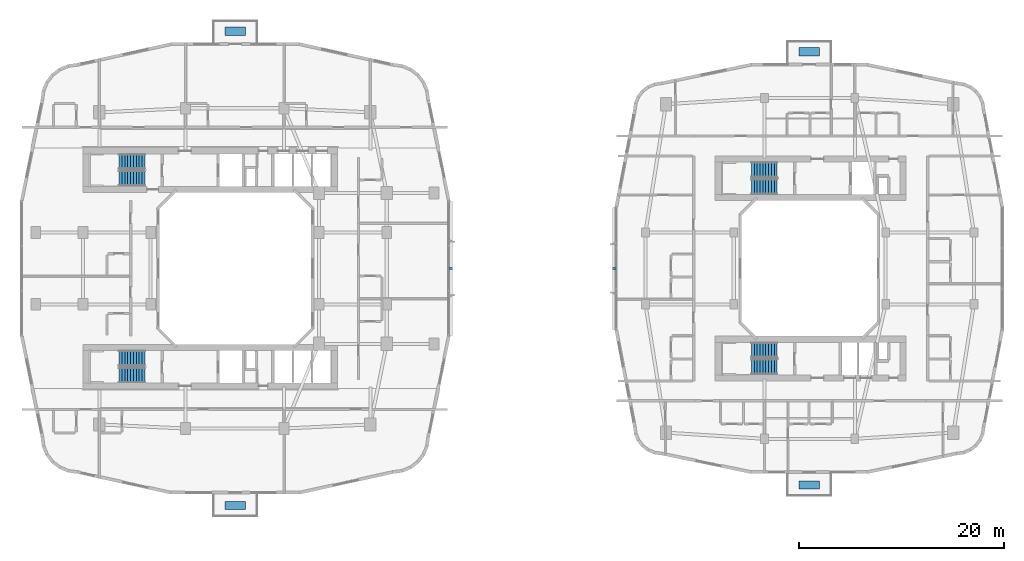
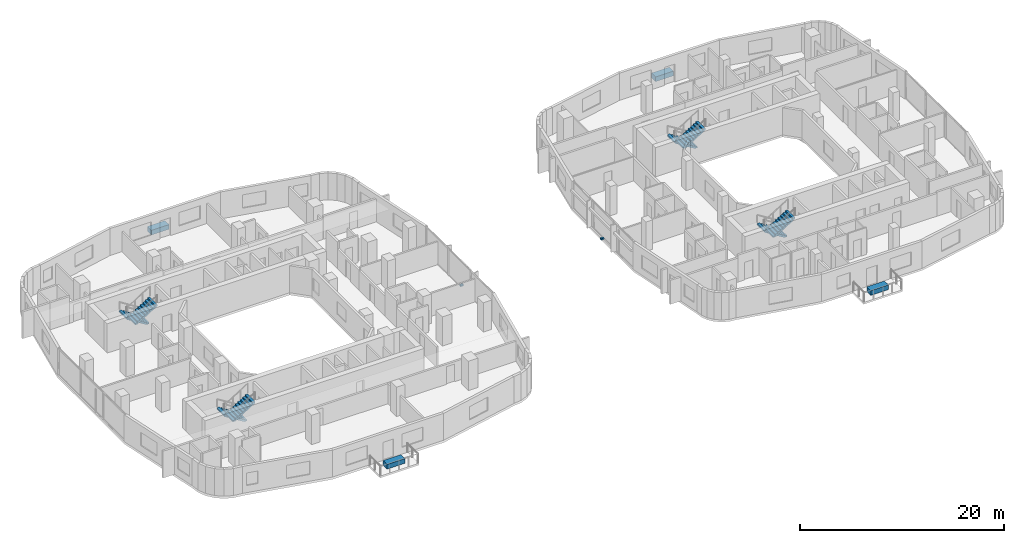
# One storey, part 17 of 22: 8 stair flights, 6 discrete accessories, 4 elements without a shape of their own.
"""IFC4 building model written with IfcOpenShell, lengths in metres."""

from ifc_helpers import new_model, si_unit, derived_unit, direction, frame, origin, origin_2d, place, context, subcontext, project, spatial, polyline, rectangle, outline, extrude, material, type_object, element, aggregate, save


model = new_model("IFC4")

# Units and contexts
model_context = context("Model", 3, precision=1e-05, world=origin(), true_north=direction((0.0, 1.0)))
body_context = subcontext(model_context, "Body", "Model", "MODEL_VIEW")
ifc_project = project(units=[si_unit("LENGTHUNIT", "METRE"), si_unit("AREAUNIT", "SQUARE_METRE"), si_unit("VOLUMEUNIT", "CUBIC_METRE"), si_unit("PLANEANGLEUNIT", "RADIAN"), si_unit("MASSUNIT", "GRAM", prefix="KILO"), derived_unit("THERMALTRANSMITTANCEUNIT", [(si_unit("POWERUNIT", "WATT"), 1), (si_unit("LENGTHUNIT", "METRE"), -2), (si_unit("THERMODYNAMICTEMPERATUREUNIT", "KELVIN"), -1)])], contexts=[model_context])

# Site, building, storey
site_placement = place(None, origin())
site = spatial("IfcSite", under=ifc_project, at=site_placement, CompositionType="ELEMENT")
building_placement = place(site_placement, origin())
building = spatial("IfcBuilding", under=site, at=building_placement, Name="Kivonza Crest Hotel", CompositionType="ELEMENT")
storey_placement = place(building_placement, frame((0.0, 0.0, 27.5)))
storey = spatial("IfcBuildingStorey", under=building, at=storey_placement, Name="L06", CompositionType="ELEMENT", Elevation=27.5)

# Stair, stair flights
ifc_material_1 = material(Name="Concrete C40/50", Category="concrete")
stair_type = type_object("IfcStairType", Name="ST-DL-20R", PredefinedType="HALF_TURN_STAIR", material=ifc_material_1)
stair_1_placement = place(storey_placement, origin())
stair_1 = element("IfcStair", 1, at=stair_1_placement, inside=storey, type_object=stair_type, Name="L06 Protected Exit Stair ST-T1-N", PredefinedType="HALF_TURN_STAIR")
stair_flight_type = type_object("IfcStairFlightType", Name="SFL-RC-10R", PredefinedType="STRAIGHT", material=ifc_material_1)
stair_flight_1_placement = place(storey_placement, frame((12.239990234375, 35.409912109375, 0.0), z_axis=(0.0, 0.0, 1.0), x_axis=(-1.0, 0.0, 0.0)))
stair_flight_1 = element("IfcStairFlight", 2, at=stair_flight_1_placement, type_object=stair_flight_type, Name="ST-T1-N flight 1", NumberOfRisers=10, NumberOfTreads=9, PredefinedType="STRAIGHT", RiserHeight=0.175, TreadLength=0.28, context=body_context, shape_type="SweptSolid", body=[
    extrude(outline(polyline([(0.0, 0.0), (0.0, 0.175048828125), (0.280029296875, 0.175048828125), (0.280029296875, 0.35009765625), (0.56005859375, 0.35009765625), (0.56005859375, 0.52490234375), (0.840087890625, 0.52490234375), (0.840087890625, 0.699951171875), (1.1201171875, 0.699951171875), (1.1201171875, 0.875), (1.39990234375, 0.875), (1.39990234375, 1.050048828125), (1.679931640625, 1.050048828125), (1.679931640625, 1.22509765625), (1.9599609375, 1.22509765625), (1.9599609375, 1.39990234375), (2.239990234375, 1.39990234375), (2.239990234375, 1.574951171875), (2.52001953125, 1.574951171875), (2.52001953125, 1.75), (2.52001953125, 1.398193359375), (0.28271484375, 0.0), (0.0, 0.0)])), frame((0.0, 0.75, 0.0), z_axis=(0.0, -1.0, 0.0), x_axis=(1.0, 0.0, 0.0)), (0.0, 0.0, 1.0), 1.5),
])
stair_flight_2_placement = place(storey_placement, frame((9.719970703125, 33.77001953125, 1.75), z_axis=(0.0, 0.0, 1.0), x_axis=(1.0, 0.0, 0.0)))
stair_flight_2 = element("IfcStairFlight", 3, at=stair_flight_2_placement, type_object=stair_flight_type, Name="ST-T1-N flight 2", NumberOfRisers=10, NumberOfTreads=9, PredefinedType="STRAIGHT", RiserHeight=0.175, TreadLength=0.28, context=body_context, shape_type="SweptSolid", body=[
    extrude(outline(polyline([(0.0, 0.0), (0.0, 0.175048828125), (0.280029296875, 0.175048828125), (0.280029296875, 0.35009765625), (0.56005859375, 0.35009765625), (0.56005859375, 0.52490234375), (0.840087890625, 0.52490234375), (0.840087890625, 0.699951171875), (1.1201171875, 0.699951171875), (1.1201171875, 0.875), (1.39990234375, 0.875), (1.39990234375, 1.050048828125), (1.679931640625, 1.050048828125), (1.679931640625, 1.22509765625), (1.9599609375, 1.22509765625), (1.9599609375, 1.39990234375), (2.239990234375, 1.39990234375), (2.239990234375, 1.574951171875), (2.52001953125, 1.574951171875), (2.52001953125, 1.75), (2.52001953125, 1.398193359375), (0.28271484375, 0.0), (0.0, 0.0)])), frame((0.0, 0.75, 0.0), z_axis=(0.0, -1.0, 0.0), x_axis=(1.0, 0.0, 0.0)), (0.0, 0.0, 1.0), 1.5),
])
aggregate(stair_1, [stair_flight_1, stair_flight_2])

stair_2_placement = place(storey_placement, origin())
stair_2 = element("IfcStair", 4, at=stair_2_placement, inside=storey, type_object=stair_type, Name="L06 Protected Exit Stair ST-T1-S", PredefinedType="HALF_TURN_STAIR")
stair_flight_3_placement = place(storey_placement, frame((12.239990234375, 16.25, 0.0), z_axis=(0.0, 0.0, 1.0), x_axis=(-1.0, 0.0, 0.0)))
stair_flight_3 = element("IfcStairFlight", 5, at=stair_flight_3_placement, type_object=stair_flight_type, Name="ST-T1-S flight 1", NumberOfRisers=10, NumberOfTreads=9, PredefinedType="STRAIGHT", RiserHeight=0.175, TreadLength=0.28, context=body_context, shape_type="SweptSolid", body=[
    extrude(outline(polyline([(0.0, 0.0), (0.0, 0.175048828125), (0.280029296875, 0.175048828125), (0.280029296875, 0.35009765625), (0.56005859375, 0.35009765625), (0.56005859375, 0.52490234375), (0.840087890625, 0.52490234375), (0.840087890625, 0.699951171875), (1.1201171875, 0.699951171875), (1.1201171875, 0.875), (1.39990234375, 0.875), (1.39990234375, 1.050048828125), (1.679931640625, 1.050048828125), (1.679931640625, 1.22509765625), (1.9599609375, 1.22509765625), (1.9599609375, 1.39990234375), (2.239990234375, 1.39990234375), (2.239990234375, 1.574951171875), (2.52001953125, 1.574951171875), (2.52001953125, 1.75), (2.52001953125, 1.398193359375), (0.28271484375, 0.0), (0.0, 0.0)])), frame((0.0, 0.75, 0.0), z_axis=(0.0, -1.0, 0.0), x_axis=(1.0, 0.0, 0.0)), (0.0, 0.0, 1.0), 1.5),
])
stair_flight_4_placement = place(storey_placement, frame((9.719970703125, 14.610107421875, 1.75), z_axis=(0.0, 0.0, 1.0), x_axis=(1.0, 0.0, 0.0)))
stair_flight_4 = element("IfcStairFlight", 6, at=stair_flight_4_placement, type_object=stair_flight_type, Name="ST-T1-S flight 2", NumberOfRisers=10, NumberOfTreads=9, PredefinedType="STRAIGHT", RiserHeight=0.175, TreadLength=0.28, context=body_context, shape_type="SweptSolid", body=[
    extrude(outline(polyline([(0.0, 0.0), (0.0, 0.175048828125), (0.280029296875, 0.175048828125), (0.280029296875, 0.35009765625), (0.56005859375, 0.35009765625), (0.56005859375, 0.52490234375), (0.840087890625, 0.52490234375), (0.840087890625, 0.699951171875), (1.1201171875, 0.699951171875), (1.1201171875, 0.875), (1.39990234375, 0.875), (1.39990234375, 1.050048828125), (1.679931640625, 1.050048828125), (1.679931640625, 1.22509765625), (1.9599609375, 1.22509765625), (1.9599609375, 1.39990234375), (2.239990234375, 1.39990234375), (2.239990234375, 1.574951171875), (2.52001953125, 1.574951171875), (2.52001953125, 1.75), (2.52001953125, 1.398193359375), (0.28271484375, 0.0), (0.0, 0.0)])), frame((0.0, 0.75, 0.0), z_axis=(0.0, -1.0, 0.0), x_axis=(1.0, 0.0, 0.0)), (0.0, 0.0, 1.0), 1.5),
])
aggregate(stair_2, [stair_flight_3, stair_flight_4])

stair_3_placement = place(storey_placement, origin())
stair_3 = element("IfcStair", 7, at=stair_3_placement, inside=storey, type_object=stair_type, Name="L06 Protected Exit Stair ST-T2-N", PredefinedType="HALF_TURN_STAIR")
stair_flight_5_placement = place(storey_placement, frame((73.840087890625, 34.610107421875, 0.0), z_axis=(0.0, 0.0, 1.0), x_axis=(-1.0, 0.0, 0.0)))
stair_flight_5 = element("IfcStairFlight", 8, at=stair_flight_5_placement, type_object=stair_flight_type, Name="ST-T2-N flight 1", NumberOfRisers=10, NumberOfTreads=9, PredefinedType="STRAIGHT", RiserHeight=0.175, TreadLength=0.28, context=body_context, shape_type="SweptSolid", body=[
    extrude(outline(polyline([(0.0, 0.0), (0.0, 0.175048828125), (0.280029296875, 0.175048828125), (0.280029296875, 0.35009765625), (0.56005859375, 0.35009765625), (0.56005859375, 0.52490234375), (0.840087890625, 0.52490234375), (0.840087890625, 0.699951171875), (1.1201171875, 0.699951171875), (1.1201171875, 0.875), (1.39990234375, 0.875), (1.39990234375, 1.050048828125), (1.679931640625, 1.050048828125), (1.679931640625, 1.22509765625), (1.9599609375, 1.22509765625), (1.9599609375, 1.39990234375), (2.239990234375, 1.39990234375), (2.239990234375, 1.574951171875), (2.52001953125, 1.574951171875), (2.52001953125, 1.75), (2.52001953125, 1.398193359375), (0.28271484375, 0.0), (0.0, 0.0)])), frame((0.0, 0.75, 0.0), z_axis=(0.0, -1.0, 0.0), x_axis=(1.0, 0.0, 0.0)), (0.0, 0.0, 1.0), 1.5),
])
stair_flight_6_placement = place(storey_placement, frame((71.320068359375, 32.969970703125, 1.75), z_axis=(0.0, 0.0, 1.0), x_axis=(1.0, 0.0, 0.0)))
stair_flight_6 = element("IfcStairFlight", 9, at=stair_flight_6_placement, type_object=stair_flight_type, Name="ST-T2-N flight 2", NumberOfRisers=10, NumberOfTreads=9, PredefinedType="STRAIGHT", RiserHeight=0.175, TreadLength=0.28, context=body_context, shape_type="SweptSolid", body=[
    extrude(outline(polyline([(0.0, 0.0), (0.0, 0.175048828125), (0.280029296875, 0.175048828125), (0.280029296875, 0.35009765625), (0.56005859375, 0.35009765625), (0.56005859375, 0.52490234375), (0.840087890625, 0.52490234375), (0.840087890625, 0.699951171875), (1.1201171875, 0.699951171875), (1.1201171875, 0.875), (1.39990234375, 0.875), (1.39990234375, 1.050048828125), (1.679931640625, 1.050048828125), (1.679931640625, 1.22509765625), (1.9599609375, 1.22509765625), (1.9599609375, 1.39990234375), (2.239990234375, 1.39990234375), (2.239990234375, 1.574951171875), (2.52001953125, 1.574951171875), (2.52001953125, 1.75), (2.52001953125, 1.398193359375), (0.28271484375, 0.0), (0.0, 0.0)])), frame((0.0, 0.75, 0.0), z_axis=(0.0, -1.0, 0.0), x_axis=(1.0, 0.0, 0.0)), (0.0, 0.0, 1.0), 1.5),
])
aggregate(stair_3, [stair_flight_5, stair_flight_6])

stair_4_placement = place(storey_placement, origin())
stair_4 = element("IfcStair", 10, at=stair_4_placement, inside=storey, type_object=stair_type, Name="L06 Protected Exit Stair ST-T2-S", PredefinedType="HALF_TURN_STAIR")
stair_flight_7_placement = place(storey_placement, frame((73.840087890625, 17.050048828125, 0.0), z_axis=(0.0, 0.0, 1.0), x_axis=(-1.0, 0.0, 0.0)))
stair_flight_7 = element("IfcStairFlight", 11, at=stair_flight_7_placement, type_object=stair_flight_type, Name="ST-T2-S flight 1", NumberOfRisers=10, NumberOfTreads=9, PredefinedType="STRAIGHT", RiserHeight=0.175, TreadLength=0.28, context=body_context, shape_type="SweptSolid", body=[
    extrude(outline(polyline([(0.0, 0.0), (0.0, 0.175048828125), (0.280029296875, 0.175048828125), (0.280029296875, 0.35009765625), (0.56005859375, 0.35009765625), (0.56005859375, 0.52490234375), (0.840087890625, 0.52490234375), (0.840087890625, 0.699951171875), (1.1201171875, 0.699951171875), (1.1201171875, 0.875), (1.39990234375, 0.875), (1.39990234375, 1.050048828125), (1.679931640625, 1.050048828125), (1.679931640625, 1.22509765625), (1.9599609375, 1.22509765625), (1.9599609375, 1.39990234375), (2.239990234375, 1.39990234375), (2.239990234375, 1.574951171875), (2.52001953125, 1.574951171875), (2.52001953125, 1.75), (2.52001953125, 1.398193359375), (0.28271484375, 0.0), (0.0, 0.0)])), frame((0.0, 0.75, 0.0), z_axis=(0.0, -1.0, 0.0), x_axis=(1.0, 0.0, 0.0)), (0.0, 0.0, 1.0), 1.5),
])
stair_flight_8_placement = place(storey_placement, frame((71.320068359375, 15.409912109375, 1.75), z_axis=(0.0, 0.0, 1.0), x_axis=(1.0, 0.0, 0.0)))
stair_flight_8 = element("IfcStairFlight", 12, at=stair_flight_8_placement, type_object=stair_flight_type, Name="ST-T2-S flight 2", NumberOfRisers=10, NumberOfTreads=9, PredefinedType="STRAIGHT", RiserHeight=0.175, TreadLength=0.28, context=body_context, shape_type="SweptSolid", body=[
    extrude(outline(polyline([(0.0, 0.0), (0.0, 0.175048828125), (0.280029296875, 0.175048828125), (0.280029296875, 0.35009765625), (0.56005859375, 0.35009765625), (0.56005859375, 0.52490234375), (0.840087890625, 0.52490234375), (0.840087890625, 0.699951171875), (1.1201171875, 0.699951171875), (1.1201171875, 0.875), (1.39990234375, 0.875), (1.39990234375, 1.050048828125), (1.679931640625, 1.050048828125), (1.679931640625, 1.22509765625), (1.9599609375, 1.22509765625), (1.9599609375, 1.39990234375), (2.239990234375, 1.39990234375), (2.239990234375, 1.574951171875), (2.52001953125, 1.574951171875), (2.52001953125, 1.75), (2.52001953125, 1.398193359375), (0.28271484375, 0.0), (0.0, 0.0)])), frame((0.0, 0.75, 0.0), z_axis=(0.0, -1.0, 0.0), x_axis=(1.0, 0.0, 0.0)), (0.0, 0.0, 1.0), 1.5),
])
aggregate(stair_4, [stair_flight_7, stair_flight_8])

# Discrete accessories
ifc_material_2 = material(Name="Stainless steel 316", Category="steel")
discrete_accessory_type_1 = type_object("IfcDiscreteAccessoryType", Name="AC-BRACKET-240", PredefinedType="BRACKET", material=ifc_material_2)
for number, where, z_axis, x_axis, name in (
    (13, (42.0400390625, 25.0, -0.009765625), (0.0, 0.0, 1.0), (0.0, 1.0, 0.0), "L06 terracotta baguette support bracket CW-T1-L06-17"),
    (14, (57.9599609375, 25.0, -0.009765625), (0.0, 0.0, 1.0), (0.0, -1.0, 0.0), "L06 terracotta baguette support bracket CW-T2-L06-35"),
):
    element("IfcDiscreteAccessory", number, at=place(storey_placement, frame(where, z_axis=z_axis, x_axis=x_axis)), inside=storey, type_object=discrete_accessory_type_1, Name=name, PredefinedType="BRACKET", context=body_context, shape_type="SweptSolid", body=[
        extrude(rectangle(XDim=0.219970703125, YDim=0.340087890625, at=origin_2d()), origin(), (0.0, 0.0, 1.0), 0.179931640625),
    ])
ifc_material_3 = material(Name="Precast GRC planter with engineered planting soil", Category="concrete")
discrete_accessory_type_2 = type_object("IfcDiscreteAccessoryType", Name="AC-PLANTER-1800", PredefinedType="USERDEFINED", material=ifc_material_3)
for number, where, z_axis, x_axis, name in (
    (15, (21.0400390625, 1.89990234375, 0.0), (0.0, 0.0, 1.0), (1.0, 0.0, 0.0), "T1 L06 SW sky-garden planter"),
    (16, (21.0400390625, 48.10009765625, 0.0), (0.0, 0.0, 1.0), (1.0, 0.0, 0.0), "T1 L06 NE sky-garden planter"),
    (17, (76.9599609375, 3.89990234375, 0.0), (0.0, 0.0, 1.0), (1.0, 0.0, 0.0), "T2 L06 SW sky-garden planter"),
    (18, (76.9599609375, 46.10009765625, 0.0), (0.0, 0.0, 1.0), (1.0, 0.0, 0.0), "T2 L06 NE sky-garden planter"),
):
    element("IfcDiscreteAccessory", number, at=place(storey_placement, frame(where, z_axis=z_axis, x_axis=x_axis)), inside=storey, type_object=discrete_accessory_type_2, Name=name, ObjectType="PLANTER", PredefinedType="USERDEFINED", context=body_context, shape_type="SweptSolid", body=[
        extrude(rectangle(XDim=2.0, YDim=0.800048828125, at=origin_2d()), origin(), (0.0, 0.0, 1.0), 0.550048828125),
    ])

save(model, "model.ifc")
